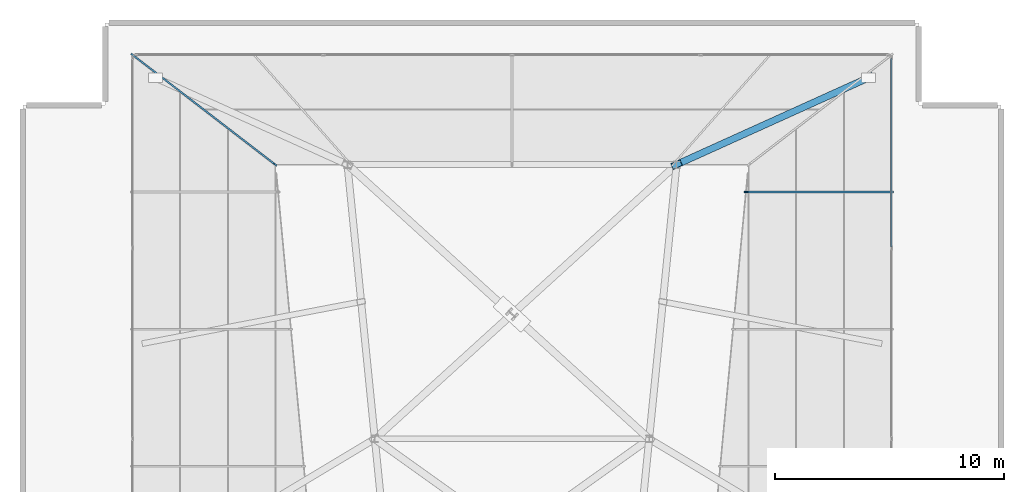
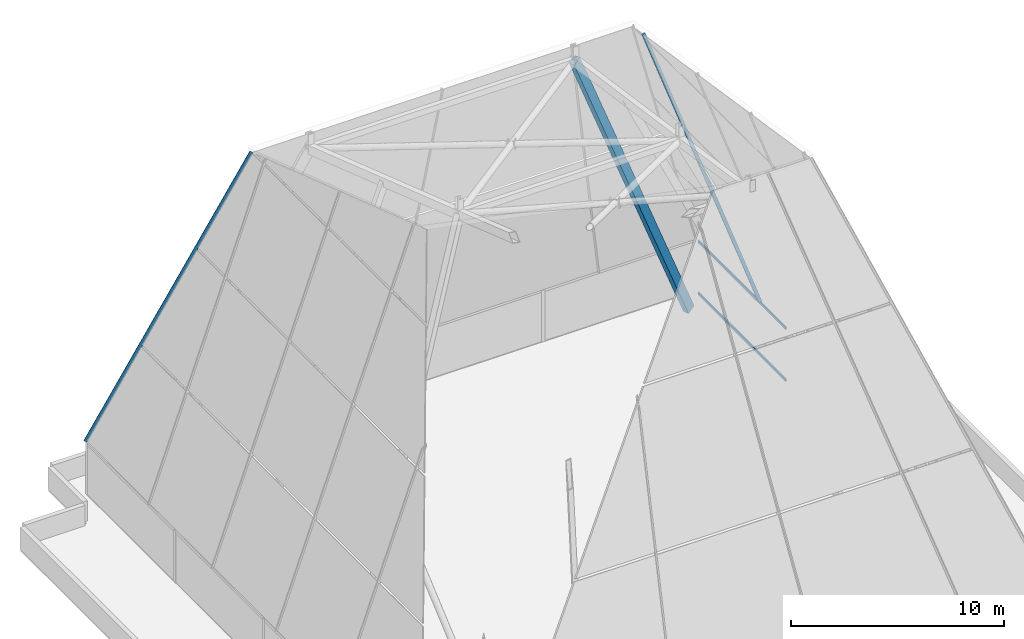
# One storey, part 20 of 32: 5 members, 2 elements without a shape of their own.
"""IFC4 building model written with IfcOpenShell, lengths in metres."""

from ifc_helpers import new_model, si_unit, direction, frame, origin, origin_2d, place, context, subcontext, project, spatial, hollow_rectangle, extrude, source, transform, mapped, material, layer, layer_set, material_profile, profile_set, type_object, element, aggregate, save


model = new_model("IFC4")

# Units and contexts
model_context = context("Model", 3, precision=1e-05, world=origin(), true_north=direction((0.0, 1.0)))
body_context = subcontext(model_context, "Body", "Model", "MODEL_VIEW")
ifc_project = project(units=[si_unit("LENGTHUNIT", "METRE"), si_unit("AREAUNIT", "SQUARE_METRE"), si_unit("VOLUMEUNIT", "CUBIC_METRE"), si_unit("PLANEANGLEUNIT", "RADIAN"), si_unit("MASSUNIT", "GRAM", prefix="KILO")], contexts=[model_context])

# Site, building, storey
site_placement = place(None, origin())
site = spatial("IfcSite", under=ifc_project, at=site_placement, CompositionType="ELEMENT")
building_placement = place(site_placement, origin())
building = spatial("IfcBuilding", under=site, at=building_placement, Name="Sumidabori Civic Tower", CompositionType="ELEMENT")
storey_placement = place(building_placement, frame((0.0, 0.0, 298.199951171875)))
storey = spatial("IfcBuildingStorey", under=building, at=storey_placement, Name="RF Roof Crown", CompositionType="ELEMENT", Elevation=298.199951171875)

# Member
ifc_material_1 = material(Name="Steel SN490", Category="steel")
ifc_material_profile_1 = material_profile(ifc_material_1, hollow_rectangle(XDim=0.300048828125, YDim=0.5, WallThickness=0.02001953125, at=origin_2d()), Name="RHS 500x300x20")
ifc_profile_set_1 = profile_set([ifc_material_profile_1], Name="Steel SN490")
member_type_1 = type_object("IfcMemberType", Name="MB-CRN-RAFTER", PredefinedType="RAFTER", material=ifc_profile_set_1)
shared_shape_1 = source(origin(), body_context, "Body", "SweptSolid", [
    extrude(hollow_rectangle(XDim=0.300048828125, YDim=0.5, WallThickness=0.02001953125, at=origin_2d()), origin(), (0.0, 0.0, 1.0), 21.56982421875),
])
member_1_placement = place(storey_placement, frame((15.60009765625, 21.800048828125, 0.0), z_axis=(-0.389441605337, -0.176175155843, 0.904045104238), x_axis=(0.412166299727, -0.911108633133, 0.0)))
element("IfcMember", 1, at=member_1_placement, inside=storey, type_object=member_type_1, Name="Crown Structural Rafter RF-NE", PredefinedType="RAFTER", context=body_context, shape_type="MappedRepresentation", body=[
    mapped(shared_shape_1, transform((0.0, 0.0, 0.0), x_axis=(1.0, 0.0, 0.0), y_axis=(0.0, 1.0, 0.0), z_axis=(0.0, 0.0, 1.0), scale=1.0)),
])

# Curtain wall, members
ifc_material_2 = material(Name="Anodised Bronze Aluminium AW-6063-T6", Category="aluminium")
ifc_layer = layer(ifc_material_2, 0.179931640625, Name="Anodised Bronze Aluminium AW-6063-T6")
ifc_layer_set = layer_set([ifc_layer], Name="Anodised Bronze Aluminium AW-6063-T6")
curtain_wall_type = type_object("IfcCurtainWallType", Name="CW-SYS-6", PredefinedType="NOTDEFINED", material=ifc_layer_set)
curtain_wall_1_placement = place(storey_placement, origin())
curtain_wall_1 = element("IfcCurtainWall", 2, at=curtain_wall_1_placement, inside=storey, type_object=curtain_wall_type, Name="Glass-Point Crown East Cheek Curtain Wall", PredefinedType="NOTDEFINED")
ifc_material_profile_2 = material_profile(ifc_material_2, hollow_rectangle(XDim=0.06494140625, YDim=0.14990234375, WallThickness=0.0048828125, at=origin_2d()), Name="ALU TRANSOM 150x65")
ifc_profile_set_2 = profile_set([ifc_material_profile_2], Name="Anodised Bronze Aluminium AW-6063-T6")
member_type_2 = type_object("IfcMemberType", Name="CW-TRN-150", PredefinedType="USERDEFINED", material=ifc_profile_set_2)
shared_shape_2 = source(origin(), body_context, "Body", "SweptSolid", [
    extrude(hollow_rectangle(XDim=0.06494140625, YDim=0.14990234375, WallThickness=0.0048828125, at=origin_2d()), origin(), (0.0, 0.0, 1.0), 8.244873046875),
])
member_2_placement = place(storey_placement, frame((16.60009765625, 14.385009765625, 0.032470703125), z_axis=(0.0, 1.0, 0.0), x_axis=(-1.0, 0.0, 0.0)))
member_2 = element("IfcMember", 3, at=member_2_placement, type_object=member_type_2, Name="CW-6 transom 4.1", ObjectType="TRANSOM", PredefinedType="USERDEFINED", context=body_context, shape_type="MappedRepresentation", body=[
    mapped(shared_shape_2, transform((0.0, 0.0, 0.0), x_axis=(1.0, 0.0, 0.0), y_axis=(0.0, 1.0, 0.0), z_axis=(0.0, 0.0, 1.0), scale=1.0)),
])
member_3_placement = place(storey_placement, frame((16.60009765625, 14.385009765625, 3.017578125), z_axis=(0.0, 1.0, 0.0), x_axis=(-1.0, 0.0, 0.0)))
member_3 = element("IfcMember", 4, at=member_3_placement, type_object=member_type_2, Name="CW-6 transom 4.2", ObjectType="TRANSOM", PredefinedType="USERDEFINED", context=body_context, shape_type="MappedRepresentation", body=[
    mapped(shared_shape_2, transform((0.0, 0.0, 0.0), x_axis=(1.0, 0.0, 0.0), y_axis=(0.0, 1.0, 0.0), z_axis=(0.0, 0.0, 1.0), scale=1.0)),
])
ifc_material_profile_3 = material_profile(ifc_material_2, hollow_rectangle(XDim=0.070068359375, YDim=0.179931640625, WallThickness=0.006103515625, at=origin_2d()), Name="ALU MULLION 180x70")
ifc_profile_set_3 = profile_set([ifc_material_profile_3], Name="Anodised Bronze Aluminium AW-6063-T6")
member_type_3 = type_object("IfcMemberType", Name="CW-MUL-180", PredefinedType="MULLION", material=ifc_profile_set_3)
shared_shape_3 = source(origin(), body_context, "Body", "SweptSolid", [
    extrude(hollow_rectangle(XDim=0.070068359375, YDim=0.179931640625, WallThickness=0.006103515625, at=origin_2d()), origin(), (0.0, 0.0, 1.0), 18.76123046875),
])
member_4_placement = place(storey_placement, frame((16.60009765625, 16.800048828125, 3.050048828125), z_axis=(-0.338718546663, 0.0, 0.940887743648), x_axis=(0.0, -1.0, 0.0)))
member_4 = element("IfcMember", 5, at=member_4_placement, type_object=member_type_3, Name="Crown East Cheek Sloped Mullion M4", PredefinedType="MULLION", context=body_context, shape_type="MappedRepresentation", body=[
    mapped(shared_shape_3, transform((0.0, 0.0, 0.0), x_axis=(1.0, 0.0, 0.0), y_axis=(0.0, 1.0, 0.0), z_axis=(0.0, 0.0, 1.0), scale=1.0)),
])
aggregate(curtain_wall_1, [member_2, member_3, member_4])

# Curtain wall, member
curtain_wall_2_placement = place(storey_placement, origin())
curtain_wall_2 = element("IfcCurtainWall", 6, at=curtain_wall_2_placement, inside=storey, type_object=curtain_wall_type, Name="Glass-Point Crown North Shoulder Curtain Wall", PredefinedType="NOTDEFINED")
shared_shape_4 = source(origin(), body_context, "Body", "SweptSolid", [
    extrude(hollow_rectangle(XDim=0.070068359375, YDim=0.179931640625, WallThickness=0.006103515625, at=origin_2d()), origin(), (0.0, 0.0, 1.0), 19.04443359375),
])
member_5_placement = place(storey_placement, frame((-16.60009765625, 22.800048828125, 3.050048828125), z_axis=(0.327784006216, -0.252045889406, 0.910511128379), x_axis=(0.609565413155, 0.792735773814, 0.0)))
member_5 = element("IfcMember", 7, at=member_5_placement, type_object=member_type_3, Name="Crown North-West Hip Mullion", PredefinedType="MULLION", context=body_context, shape_type="MappedRepresentation", body=[
    mapped(shared_shape_4, transform((0.0, 0.0, 0.0), x_axis=(1.0, 0.0, 0.0), y_axis=(0.0, 1.0, 0.0), z_axis=(0.0, 0.0, 1.0), scale=1.0)),
])
aggregate(curtain_wall_2, [member_5])

save(model, "model.ifc")
